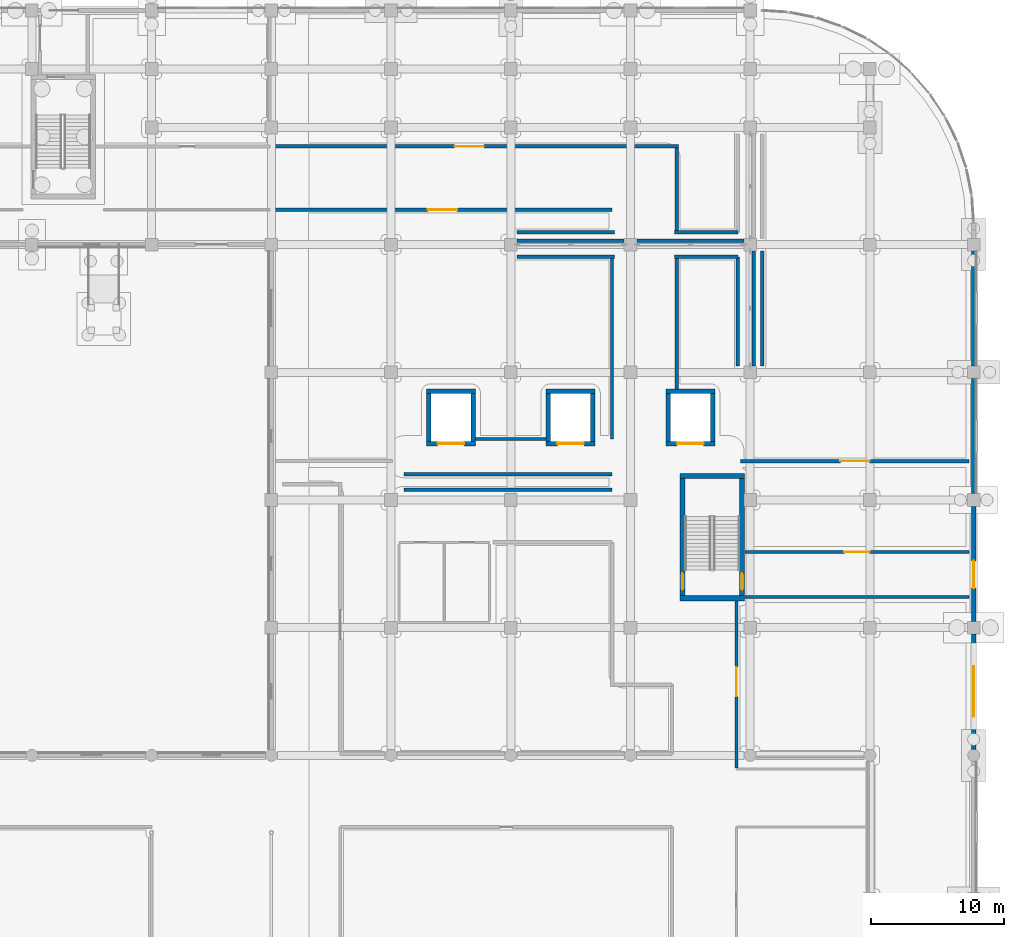
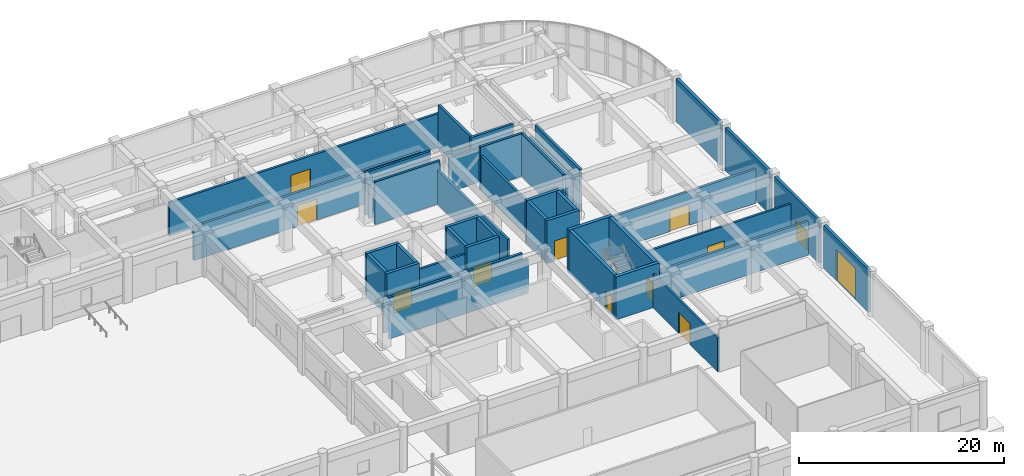
# One storey, part 39 of 74: 41 walls, 12 doors, 12 openings.
"""IFC4 building model written with IfcOpenShell, lengths in metres."""

from ifc_helpers import new_model, si_unit, direction, frame, frame_2d, origin, place, context, subcontext, project, spatial, rectangle, extrude, material, layer, layer_set, type_object, element, fill, save


model = new_model("IFC4")

# Units and contexts
model_context = context("Model", 3, precision=1e-05, world=origin(), true_north=direction((0.0, 1.0)))
body_context = subcontext(model_context, "Body", "Model", "MODEL_VIEW")
ifc_project = project(units=[si_unit("LENGTHUNIT", "METRE"), si_unit("AREAUNIT", "SQUARE_METRE"), si_unit("VOLUMEUNIT", "CUBIC_METRE"), si_unit("PLANEANGLEUNIT", "RADIAN"), si_unit("MASSUNIT", "GRAM", prefix="KILO")], contexts=[model_context])

# Site, building, storey
site_placement = place(None, origin())
site = spatial("IfcSite", under=ifc_project, at=site_placement, CompositionType="ELEMENT")
building_placement = place(site_placement, origin())
building = spatial("IfcBuilding", under=site, at=building_placement, Name="Cendralis Terraced Arcade", CompositionType="ELEMENT")
storey_placement = place(building_placement, origin())
storey = spatial("IfcBuildingStorey", under=building, at=storey_placement, Name="L00", CompositionType="ELEMENT", Elevation=0.0)

# Wall, opening, door
ifc_material_1 = material(Name="Concrete f'c 42 MPa", Category="concrete")
ifc_layer_1 = layer(ifc_material_1, 0.340087890625, Name="WL-CORE-340")
ifc_layer_set_1 = layer_set([ifc_layer_1], Name="Concrete f'c 42 MPa")
wall_type_1 = type_object("IfcWallType", Name="WL-CORE-340", PredefinedType="SHEAR", material=ifc_layer_set_1)
wall_1_placement = place(storey_placement, frame((132.860107421875, 83.429931640625, 0.0), z_axis=(0.0, 0.0, 1.0), x_axis=(1.0, 0.0, 0.0)))
wall_1 = element("IfcWall", 1, at=wall_1_placement, inside=storey, type_object=wall_type_1, Name="Lift GL-01 Reinforced Concrete Shaft Wall (L00)", PredefinedType="SHEAR", context=body_context, shape_type="SweptSolid", body=[
    extrude(rectangle(XDim=3.679931640625, YDim=0.340087890625, at=frame_2d((1.83984375, 0.0))), origin(), (0.0, 0.0, 1.0), 5.090087890625),
])
opening_1_placement = place(wall_1_placement, frame((0.840087890625, 0.0, 0.0)))
opening_1 = element("IfcOpeningElement", 2, at=opening_1_placement, cuts=wall_1, Name="Opening LD-GL-01-L00", PredefinedType="OPENING", context=body_context, shape_type="SweptSolid", body=[
    extrude(rectangle(XDim=2.0, YDim=2.39990234375, at=frame_2d((1.0, 1.199951171875))), frame((0.0, 0.18212890625, 0.0), z_axis=(0.0, -1.0, 0.0), x_axis=(1.0, 0.0, 0.0)), (0.0, 0.0, 1.0), 0.364013671875),
])
ifc_material_2 = material(Name="Anodised aluminium sliding door assembly", Category="aluminium")
door_type_1 = type_object("IfcDoorType", Name="ID-LD-GD-2000x2400", OperationType="DOUBLE_DOOR_SLIDING", PredefinedType="DOOR", material=ifc_material_2)
door_1_placement = place(opening_1_placement, origin())
door_1 = element("IfcDoor", 3, at=door_1_placement, inside=storey, type_object=door_type_1, Name="Lift GL-01 Sliding Landing Door (L00)", OperationType="DOUBLE_DOOR_SLIDING", OverallHeight=2.39990234375, OverallWidth=2.0, PredefinedType="DOOR", context=body_context, shape_type="SweptSolid", body=[
    extrude(rectangle(XDim=2.0, YDim=2.39990234375, at=frame_2d((1.0, 1.199951171875))), frame((0.0, 0.02490234375, 0.0), z_axis=(0.0, -1.0, 0.0), x_axis=(1.0, 0.0, 0.0)), (0.0, 0.0, 1.0), 0.050048828125),
])
fill(opening_1, door_1)

# Walls
wall_2_placement = place(storey_placement, frame((132.860107421875, 87.3701171875, 0.0), z_axis=(0.0, 0.0, 1.0), x_axis=(1.0, 0.0, 0.0)))
element("IfcWall", 4, at=wall_2_placement, inside=storey, type_object=wall_type_1, Name="Lift GL-01 Reinforced Concrete Shaft Wall (L00)", PredefinedType="SHEAR", context=body_context, shape_type="SweptSolid", body=[
    extrude(rectangle(XDim=3.679931640625, YDim=0.340087890625, at=frame_2d((1.83984375, 0.0))), origin(), (0.0, 0.0, 1.0), 5.090087890625),
])
for number, where, z_axis, x_axis, name in (
    (5, (133.030029296875, 83.60009765625, 0.0), (0.0, 0.0, 1.0), (0.0, 1.0, 0.0), "Lift GL-01 Reinforced Concrete Shaft Wall (L00)"),
    (6, (136.3701171875, 83.60009765625, 0.0), (0.0, 0.0, 1.0), (0.0, 1.0, 0.0), "Lift GL-01 Reinforced Concrete Shaft Wall (L00)"),
):
    element("IfcWall", number, at=place(storey_placement, frame(where, z_axis=z_axis, x_axis=x_axis)), inside=storey, type_object=wall_type_1, Name=name, PredefinedType="SHEAR", context=body_context, shape_type="SweptSolid", body=[
        extrude(rectangle(XDim=3.599853515625, YDim=0.340087890625, at=frame_2d((1.7998046875, 0.0))), origin(), (0.0, 0.0, 1.0), 5.090087890625),
    ])

# Wall, opening, door
wall_3_placement = place(storey_placement, frame((141.860107421875, 83.429931640625, 0.0), z_axis=(0.0, 0.0, 1.0), x_axis=(1.0, 0.0, 0.0)))
wall_3 = element("IfcWall", 7, at=wall_3_placement, inside=storey, type_object=wall_type_1, Name="Lift GL-02 Reinforced Concrete Shaft Wall (L00)", PredefinedType="SHEAR", context=body_context, shape_type="SweptSolid", body=[
    extrude(rectangle(XDim=3.679931640625, YDim=0.340087890625, at=frame_2d((1.83984375, 0.0))), origin(), (0.0, 0.0, 1.0), 5.090087890625),
])
opening_2_placement = place(wall_3_placement, frame((0.840087890625, 0.0, 0.0)))
opening_2 = element("IfcOpeningElement", 8, at=opening_2_placement, cuts=wall_3, Name="Opening LD-GL-02-L00", PredefinedType="OPENING", context=body_context, shape_type="SweptSolid", body=[
    extrude(rectangle(XDim=2.0, YDim=2.39990234375, at=frame_2d((1.0, 1.199951171875))), frame((0.0, 0.18212890625, 0.0), z_axis=(0.0, -1.0, 0.0), x_axis=(1.0, 0.0, 0.0)), (0.0, 0.0, 1.0), 0.364013671875),
])
door_2_placement = place(opening_2_placement, origin())
door_2 = element("IfcDoor", 9, at=door_2_placement, inside=storey, type_object=door_type_1, Name="Lift GL-02 Sliding Landing Door (L00)", OperationType="DOUBLE_DOOR_SLIDING", OverallHeight=2.39990234375, OverallWidth=2.0, PredefinedType="DOOR", context=body_context, shape_type="SweptSolid", body=[
    extrude(rectangle(XDim=2.0, YDim=2.39990234375, at=frame_2d((1.0, 1.199951171875))), frame((0.0, 0.02490234375, 0.0), z_axis=(0.0, -1.0, 0.0), x_axis=(1.0, 0.0, 0.0)), (0.0, 0.0, 1.0), 0.050048828125),
])
fill(opening_2, door_2)

# Walls
wall_4_placement = place(storey_placement, frame((141.860107421875, 87.3701171875, 0.0), z_axis=(0.0, 0.0, 1.0), x_axis=(1.0, 0.0, 0.0)))
element("IfcWall", 10, at=wall_4_placement, inside=storey, type_object=wall_type_1, Name="Lift GL-02 Reinforced Concrete Shaft Wall (L00)", PredefinedType="SHEAR", context=body_context, shape_type="SweptSolid", body=[
    extrude(rectangle(XDim=3.679931640625, YDim=0.340087890625, at=frame_2d((1.83984375, 0.0))), origin(), (0.0, 0.0, 1.0), 5.090087890625),
])
for number, where, z_axis, x_axis, name in (
    (11, (142.030029296875, 83.60009765625, 0.0), (0.0, 0.0, 1.0), (0.0, 1.0, 0.0), "Lift GL-02 Reinforced Concrete Shaft Wall (L00)"),
    (12, (145.3701171875, 83.60009765625, 0.0), (0.0, 0.0, 1.0), (0.0, 1.0, 0.0), "Lift GL-02 Reinforced Concrete Shaft Wall (L00)"),
):
    element("IfcWall", number, at=place(storey_placement, frame(where, z_axis=z_axis, x_axis=x_axis)), inside=storey, type_object=wall_type_1, Name=name, PredefinedType="SHEAR", context=body_context, shape_type="SweptSolid", body=[
        extrude(rectangle(XDim=3.599853515625, YDim=0.340087890625, at=frame_2d((1.7998046875, 0.0))), origin(), (0.0, 0.0, 1.0), 5.090087890625),
    ])

# Wall, opening, door
wall_5_placement = place(storey_placement, frame((150.860107421875, 83.429931640625, 0.0), z_axis=(0.0, 0.0, 1.0), x_axis=(1.0, 0.0, 0.0)))
wall_5 = element("IfcWall", 13, at=wall_5_placement, inside=storey, type_object=wall_type_1, Name="Lift GL-03 Reinforced Concrete Shaft Wall (L00)", PredefinedType="SHEAR", context=body_context, shape_type="SweptSolid", body=[
    extrude(rectangle(XDim=3.679931640625, YDim=0.340087890625, at=frame_2d((1.83984375, 0.0))), origin(), (0.0, 0.0, 1.0), 5.090087890625),
])
opening_3_placement = place(wall_5_placement, frame((0.840087890625, 0.0, 0.0)))
opening_3 = element("IfcOpeningElement", 14, at=opening_3_placement, cuts=wall_5, Name="Opening LD-GL-03-L00", PredefinedType="OPENING", context=body_context, shape_type="SweptSolid", body=[
    extrude(rectangle(XDim=2.0, YDim=2.39990234375, at=frame_2d((1.0, 1.199951171875))), frame((0.0, 0.18212890625, 0.0), z_axis=(0.0, -1.0, 0.0), x_axis=(1.0, 0.0, 0.0)), (0.0, 0.0, 1.0), 0.364013671875),
])
door_3_placement = place(opening_3_placement, origin())
door_3 = element("IfcDoor", 15, at=door_3_placement, inside=storey, type_object=door_type_1, Name="Lift GL-03 Sliding Landing Door (L00)", OperationType="DOUBLE_DOOR_SLIDING", OverallHeight=2.39990234375, OverallWidth=2.0, PredefinedType="DOOR", context=body_context, shape_type="SweptSolid", body=[
    extrude(rectangle(XDim=2.0, YDim=2.39990234375, at=frame_2d((1.0, 1.199951171875))), frame((0.0, 0.02490234375, 0.0), z_axis=(0.0, -1.0, 0.0), x_axis=(1.0, 0.0, 0.0)), (0.0, 0.0, 1.0), 0.050048828125),
])
fill(opening_3, door_3)

# Walls
wall_6_placement = place(storey_placement, frame((150.860107421875, 87.3701171875, 0.0), z_axis=(0.0, 0.0, 1.0), x_axis=(1.0, 0.0, 0.0)))
element("IfcWall", 16, at=wall_6_placement, inside=storey, type_object=wall_type_1, Name="Lift GL-03 Reinforced Concrete Shaft Wall (L00)", PredefinedType="SHEAR", context=body_context, shape_type="SweptSolid", body=[
    extrude(rectangle(XDim=3.679931640625, YDim=0.340087890625, at=frame_2d((1.83984375, 0.0))), origin(), (0.0, 0.0, 1.0), 5.090087890625),
])
for number, where, z_axis, x_axis, name in (
    (17, (151.030029296875, 83.60009765625, 0.0), (0.0, 0.0, 1.0), (0.0, 1.0, 0.0), "Lift GL-03 Reinforced Concrete Shaft Wall (L00)"),
    (18, (154.3701171875, 83.60009765625, 0.0), (0.0, 0.0, 1.0), (0.0, 1.0, 0.0), "Lift GL-03 Reinforced Concrete Shaft Wall (L00)"),
):
    element("IfcWall", number, at=place(storey_placement, frame(where, z_axis=z_axis, x_axis=x_axis)), inside=storey, type_object=wall_type_1, Name=name, PredefinedType="SHEAR", context=body_context, shape_type="SweptSolid", body=[
        extrude(rectangle(XDim=3.599853515625, YDim=0.340087890625, at=frame_2d((1.7998046875, 0.0))), origin(), (0.0, 0.0, 1.0), 5.090087890625),
    ])
ifc_layer_2 = layer(ifc_material_1, 0.3798828125, Name="WL-CORE-380")
ifc_layer_set_2 = layer_set([ifc_layer_2], Name="Concrete f'c 42 MPa")
wall_type_2 = type_object("IfcWallType", Name="WL-CORE-380", PredefinedType="SHEAR", material=ifc_layer_set_2)
for number, where, z_axis, x_axis, name in (
    (19, (151.919921875, 71.81005859375, 0.0), (0.0, 0.0, 1.0), (1.0, 0.0, 0.0), "Stair Core Reinforced Concrete Shear Wall SW-ST-06-L00-S"),
    (20, (151.919921875, 80.989990234375, 0.0), (0.0, 0.0, 1.0), (1.0, 0.0, 0.0), "Stair Core Reinforced Concrete Shear Wall SW-ST-06-L00-N"),
):
    element("IfcWall", number, at=place(storey_placement, frame(where, z_axis=z_axis, x_axis=x_axis)), inside=storey, type_object=wall_type_2, Name=name, PredefinedType="SHEAR", context=body_context, shape_type="SweptSolid", body=[
        extrude(rectangle(XDim=4.860107421875, YDim=0.3798828125, at=frame_2d((2.43017578125, 0.0))), origin(), (0.0, 0.0, 1.0), 5.090087890625),
    ])

# Wall, opening, door
wall_7_placement = place(storey_placement, frame((156.590087890625, 72.0, 0.0), z_axis=(0.0, 0.0, 1.0), x_axis=(0.0, 1.0, 0.0)))
wall_7 = element("IfcWall", 21, at=wall_7_placement, inside=storey, type_object=wall_type_2, Name="Stair Core Reinforced Concrete Shear Wall SW-ST-06-L00-E", PredefinedType="SHEAR", context=body_context, shape_type="SweptSolid", body=[
    extrude(rectangle(XDim=8.800048828125, YDim=0.3798828125, at=frame_2d((4.39990234375, 0.0))), origin(), (0.0, 0.0, 1.0), 5.090087890625),
])
opening_4_placement = place(wall_7_placement, frame((0.449951171875, 0.0, 0.0)))
opening_4 = element("IfcOpeningElement", 22, at=opening_4_placement, cuts=wall_7, Name="Opening D-ST-06-EXP", PredefinedType="OPENING", context=body_context, shape_type="SweptSolid", body=[
    extrude(rectangle(XDim=1.25, YDim=2.199951171875, at=frame_2d((0.625, 1.10009765625))), frame((0.0, 0.201904296875, 0.0), z_axis=(0.0, -1.0, 0.0), x_axis=(1.0, 0.0, 0.0)), (0.0, 0.0, 1.0), 0.40380859375),
])
ifc_material_3 = material(Name="Galvanised fire-rated steel door assembly", Category="steel")
door_type_2 = type_object("IfcDoorType", Name="ID-ST-1250x2200", OperationType="NOTDEFINED", PredefinedType="DOOR", material=ifc_material_3)
door_4_placement = place(opening_4_placement, origin())
door_4 = element("IfcDoor", 23, at=door_4_placement, inside=storey, type_object=door_type_2, Name="Stair ST-06 Exit Passage Discharge Door", OperationType="SINGLE_SWING_RIGHT", OverallHeight=2.199951171875, OverallWidth=1.25, PredefinedType="DOOR", context=body_context, shape_type="SweptSolid", body=[
    extrude(rectangle(XDim=1.25, YDim=2.199951171875, at=frame_2d((0.625, 1.10009765625))), frame((0.0, 0.02490234375, 0.0), z_axis=(0.0, -1.0, 0.0), x_axis=(1.0, 0.0, 0.0)), (0.0, 0.0, 1.0), 0.050048828125),
])
fill(opening_4, door_4)

wall_8_placement = place(storey_placement, frame((152.110107421875, 72.0, 0.0), z_axis=(0.0, 0.0, 1.0), x_axis=(0.0, 1.0, 0.0)))
wall_8 = element("IfcWall", 24, at=wall_8_placement, inside=storey, type_object=wall_type_2, Name="Stair Core Reinforced Concrete Shear Wall SW-ST-06-L00-W", PredefinedType="SHEAR", context=body_context, shape_type="SweptSolid", body=[
    extrude(rectangle(XDim=8.800048828125, YDim=0.3798828125, at=frame_2d((4.39990234375, 0.0))), origin(), (0.0, 0.0, 1.0), 5.090087890625),
])
opening_5_placement = place(wall_8_placement, frame((0.449951171875, 0.0, 0.0)))
opening_5 = element("IfcOpeningElement", 25, at=opening_5_placement, cuts=wall_8, Name="Opening D-ST-06-L00", PredefinedType="OPENING", context=body_context, shape_type="SweptSolid", body=[
    extrude(rectangle(XDim=1.25, YDim=2.199951171875, at=frame_2d((0.625, 1.10009765625))), frame((0.0, 0.201904296875, 0.0), z_axis=(0.0, -1.0, 0.0), x_axis=(1.0, 0.0, 0.0)), (0.0, 0.0, 1.0), 0.40380859375),
])
door_5_placement = place(opening_5_placement, frame((1.25, 0.0, 0.0), z_axis=(0.0, 0.0, 1.0), x_axis=(-1.0, 0.0, 0.0)))
door_5 = element("IfcDoor", 26, at=door_5_placement, inside=storey, type_object=door_type_2, Name="Protected Stair ST-06 Fire Door (L00)", OperationType="SINGLE_SWING_LEFT", OverallHeight=2.199951171875, OverallWidth=1.25, PredefinedType="DOOR", context=body_context, shape_type="SweptSolid", body=[
    extrude(rectangle(XDim=1.25, YDim=2.199951171875, at=frame_2d((0.625, 1.10009765625))), frame((0.0, 0.02490234375, 0.0), z_axis=(0.0, -1.0, 0.0), x_axis=(1.0, 0.0, 0.0)), (0.0, 0.0, 1.0), 0.050048828125),
])
fill(opening_5, door_5)

# Walls
ifc_material_4 = material(Name="Precast concrete f'c 40 MPa", Category="concrete")
ifc_layer_3 = layer(ifc_material_4, 0.320068359375, Name="WL-EXT-GRC-320")
ifc_layer_set_3 = layer_set([ifc_layer_3], Name="Precast concrete f'c 40 MPa")
wall_type_3 = type_object("IfcWallType", Name="WL-EXT-GRC-320", PredefinedType="SOLIDWALL", material=ifc_layer_set_3)
wall_9_placement = place(storey_placement, frame((174.0, 97.927001953125, 0.0), z_axis=(0.0, 0.0, 1.0), x_axis=(0.0, -1.0, 0.0)))
element("IfcWall", 27, at=wall_9_placement, inside=storey, type_object=wall_type_3, Name="Exterior Architectural Wall EW-L00-0049", PredefinedType="SOLIDWALL", context=body_context, shape_type="SweptSolid", body=[
    extrude(rectangle(XDim=8.654052734375, YDim=0.320068359375, at=frame_2d((4.3271484375, 0.0))), origin(), (0.0, 0.0, 1.0), 5.090087890625),
])
wall_10_placement = place(storey_placement, frame((174.0, 88.326904296875, 0.0), z_axis=(0.0, 0.0, 1.0), x_axis=(0.0, -1.0, 0.0)))
element("IfcWall", 28, at=wall_10_placement, inside=storey, type_object=wall_type_3, Name="Exterior Architectural Wall EW-L00-0050", PredefinedType="SOLIDWALL", context=body_context, shape_type="SweptSolid", body=[
    extrude(rectangle(XDim=8.65380859375, YDim=0.320068359375, at=frame_2d((4.326904296875, 0.0))), origin(), (0.0, 0.0, 1.0), 5.090087890625),
])

# Wall, opening, door
wall_11_placement = place(storey_placement, frame((174.0, 78.72509765625, 0.0), z_axis=(0.0, 0.0, 1.0), x_axis=(0.0, -1.0, 0.0)))
wall_11 = element("IfcWall", 29, at=wall_11_placement, inside=storey, type_object=wall_type_3, Name="Exterior Architectural Wall EW-L00-0051", PredefinedType="SOLIDWALL", context=body_context, shape_type="SweptSolid", body=[
    extrude(rectangle(XDim=8.650146484375, YDim=0.320068359375, at=frame_2d((4.3251953125, 0.0))), origin(), (0.0, 0.0, 1.0), 5.090087890625),
])
opening_6_placement = place(wall_11_placement, frame((4.10009765625, 0.0, 0.0)))
opening_6 = element("IfcOpeningElement", 30, at=opening_6_placement, cuts=wall_11, Name="Opening EX-06", PredefinedType="OPENING", context=body_context, shape_type="SweptSolid", body=[
    extrude(rectangle(XDim=2.050048828125, YDim=2.25, at=frame_2d((1.02490234375, 1.125))), frame((0.0, 0.171875, 0.0), z_axis=(0.0, -1.0, 0.0), x_axis=(1.0, 0.0, 0.0)), (0.0, 0.0, 1.0), 0.343994140625),
])
ifc_material_5 = material(Name="Powder-coated thermally broken aluminium and glass", Category="aluminium")
door_type_3 = type_object("IfcDoorType", Name="ED-PASS-2050x2250", OperationType="DOUBLE_DOOR_SINGLE_SWING", PredefinedType="DOOR", material=ifc_material_5)
door_6_placement = place(opening_6_placement, origin())
door_6 = element("IfcDoor", 31, at=door_6_placement, inside=storey, type_object=door_type_3, Name="Exit Passage ST-06 Final Exit Door EX-06", OperationType="DOUBLE_DOOR_SINGLE_SWING", OverallHeight=2.25, OverallWidth=2.050048828125, PredefinedType="DOOR", context=body_context, shape_type="SweptSolid", body=[
    extrude(rectangle(XDim=2.050048828125, YDim=2.25, at=frame_2d((1.02490234375, 1.125))), frame((0.0, 0.02490234375, 0.0), z_axis=(0.0, -1.0, 0.0), x_axis=(1.0, 0.0, 0.0)), (0.0, 0.0, 1.0), 0.050048828125),
])
fill(opening_6, door_6)

wall_12_placement = place(storey_placement, frame((174.0, 69.125, 0.0), z_axis=(0.0, 0.0, 1.0), x_axis=(0.0, -1.0, 0.0)))
wall_12 = element("IfcWall", 32, at=wall_12_placement, inside=storey, type_object=wall_type_3, Name="Exterior Architectural Wall EW-L00-0052", PredefinedType="SOLIDWALL", context=body_context, shape_type="SweptSolid", body=[
    extrude(rectangle(XDim=8.675048828125, YDim=0.320068359375, at=frame_2d((4.33740234375, 0.0))), origin(), (0.0, 0.0, 1.0), 5.090087890625),
])
opening_7_placement = place(wall_12_placement, frame((2.425048828125, 0.0, 0.0)))
opening_7 = element("IfcOpeningElement", 33, at=opening_7_placement, cuts=wall_12, Name="Opening GD-02", PredefinedType="OPENING", context=body_context, shape_type="SweptSolid", body=[
    extrude(rectangle(XDim=3.800048828125, YDim=3.699951171875, at=frame_2d((1.89990234375, 1.85009765625))), frame((0.0, 0.171875, 0.0), z_axis=(0.0, -1.0, 0.0), x_axis=(1.0, 0.0, 0.0)), (0.0, 0.0, 1.0), 0.343994140625),
])
ifc_material_6 = material(Name="Galvanised insulated steel roller shutter", Category="steel")
door_type_4 = type_object("IfcDoorType", Name="ED-DOCK-3800x4000", OperationType="ROLLINGUP", PredefinedType="DOOR", material=ifc_material_6)
door_7_placement = place(opening_7_placement, origin())
door_7 = element("IfcDoor", 34, at=door_7_placement, inside=storey, type_object=door_type_4, Name="Loading Dock Roller Shutter Door GD-02", OperationType="ROLLINGUP", OverallHeight=3.699951171875, OverallWidth=3.800048828125, PredefinedType="DOOR", context=body_context, shape_type="SweptSolid", body=[
    extrude(rectangle(XDim=3.800048828125, YDim=3.699951171875, at=frame_2d((1.89990234375, 1.85009765625))), frame((0.0, 0.02490234375, 0.0), z_axis=(0.0, -1.0, 0.0), x_axis=(1.0, 0.0, 0.0)), (0.0, 0.0, 1.0), 0.050048828125),
])
fill(opening_7, door_7)

ifc_material_7 = material(Name="Autoclaved aerated concrete blockwork", Category="masonry")
ifc_layer_4 = layer(ifc_material_7, 0.215087890625, Name="WL-FIRE-215")
ifc_layer_set_4 = layer_set([ifc_layer_4], Name="Autoclaved aerated concrete blockwork")
wall_type_4 = type_object("IfcWallType", Name="WL-FIRE-215", PredefinedType="PARTITIONING", material=ifc_layer_set_4)
wall_13_placement = place(storey_placement, frame((156.179931640625, 59.04296875, 0.0), z_axis=(0.0, 0.0, 1.0), x_axis=(0.0, 1.0, 0.0)))
wall_13 = element("IfcWall", 35, at=wall_13_placement, inside=storey, type_object=wall_type_4, Name="Interior Partition Wall IW-L00-0316", PredefinedType="PARTITIONING", context=body_context, shape_type="SweptSolid", body=[
    extrude(rectangle(XDim=12.5771484375, YDim=0.215087890625, at=frame_2d((6.28857421875, 0.0))), origin(), (0.0, 0.0, 1.0), 4.030029296875),
])
opening_8_placement = place(wall_13_placement, frame((5.39697265625, 0.0, 0.0)))
opening_8 = element("IfcOpeningElement", 36, at=opening_8_placement, cuts=wall_13, Name="Opening D-L00-091", PredefinedType="OPENING", context=body_context, shape_type="SweptSolid", body=[
    extrude(rectangle(XDim=2.199951171875, YDim=2.5, at=frame_2d((1.10009765625, 1.25))), frame((0.0, 0.11962890625, 0.0), z_axis=(0.0, -1.0, 0.0), x_axis=(1.0, 0.0, 0.0)), (0.0, 0.0, 1.0), 0.239013671875),
])
door_type_5 = type_object("IfcDoorType", Name="ID-STK-2200x2500", OperationType="DOUBLE_DOOR_SINGLE_SWING", PredefinedType="DOOR", material=ifc_material_3)
door_8_placement = place(opening_8_placement, origin())
door_8 = element("IfcDoor", 37, at=door_8_placement, inside=storey, type_object=door_type_5, Name="Central Stockrooms and Automated Picking - Dock Staging Door D-L00-091", OperationType="DOUBLE_DOOR_SINGLE_SWING", OverallHeight=2.5, OverallWidth=2.199951171875, PredefinedType="DOOR", context=body_context, shape_type="SweptSolid", body=[
    extrude(rectangle(XDim=2.199951171875, YDim=2.5, at=frame_2d((1.10009765625, 1.25))), frame((0.0, 0.02490234375, 0.0), z_axis=(0.0, -1.0, 0.0), x_axis=(1.0, 0.0, 0.0)), (0.0, 0.0, 1.0), 0.050048828125),
])
fill(opening_8, door_8)

# Wall
ifc_layer_5 = layer(ifc_material_7, 0.235107421875, Name="WL-FIRE-235")
ifc_layer_set_5 = layer_set([ifc_layer_5], Name="Autoclaved aerated concrete blockwork")
wall_type_5 = type_object("IfcWallType", Name="WL-FIRE-235", PredefinedType="PARTITIONING", material=ifc_layer_set_5)
wall_14_placement = place(storey_placement, frame((156.800048828125, 71.89990234375, 0.0), z_axis=(0.0, 0.0, 1.0), x_axis=(1.0, 0.0, 0.0)))
element("IfcWall", 38, at=wall_14_placement, inside=storey, type_object=wall_type_5, Name="Protected Exit Passage 2-Hour Wall EP-ST06-S", PredefinedType="PARTITIONING", context=body_context, shape_type="SweptSolid", body=[
    extrude(rectangle(XDim=16.849853515625, YDim=0.235107421875, at=frame_2d((8.4248046875, 0.0))), origin(), (0.0, 0.0, 1.0), 4.030029296875),
])

# Wall, opening, door
wall_15_placement = place(storey_placement, frame((156.800048828125, 75.300048828125, 0.0), z_axis=(0.0, 0.0, 1.0), x_axis=(1.0, 0.0, 0.0)))
wall_15 = element("IfcWall", 39, at=wall_15_placement, inside=storey, type_object=wall_type_5, Name="Protected Exit Passage 2-Hour Wall EP-ST06-N", PredefinedType="PARTITIONING", context=body_context, shape_type="SweptSolid", body=[
    extrude(rectangle(XDim=16.849853515625, YDim=0.235107421875, at=frame_2d((8.4248046875, 0.0))), origin(), (0.0, 0.0, 1.0), 4.030029296875),
])
opening_9_placement = place(wall_15_placement, frame((7.47509765625, 0.0, 0.0)))
opening_9 = element("IfcOpeningElement", 40, at=opening_9_placement, cuts=wall_15, Name="Opening D-EP-ST06-N", PredefinedType="OPENING", context=body_context, shape_type="SweptSolid", body=[
    extrude(rectangle(XDim=1.89990234375, YDim=2.25, at=frame_2d((0.949951171875, 1.125))), frame((0.0, 0.12939453125, 0.0), z_axis=(0.0, -1.0, 0.0), x_axis=(1.0, 0.0, 0.0)), (0.0, 0.0, 1.0), 0.259033203125),
])
door_type_6 = type_object("IfcDoorType", Name="ID-EXP-1900x2250", OperationType="DOUBLE_DOOR_SINGLE_SWING", PredefinedType="DOOR", material=ifc_material_3)
door_9_placement = place(opening_9_placement, origin())
door_9 = element("IfcDoor", 41, at=door_9_placement, inside=storey, type_object=door_type_6, Name="Protected Exit Passage Fire Door EP-ST06-N", OperationType="DOUBLE_DOOR_SINGLE_SWING", OverallHeight=2.25, OverallWidth=1.89990234375, PredefinedType="DOOR", context=body_context, shape_type="SweptSolid", body=[
    extrude(rectangle(XDim=1.89990234375, YDim=2.25, at=frame_2d((0.949951171875, 1.125))), frame((0.0, 0.02490234375, 0.0), z_axis=(0.0, -1.0, 0.0), x_axis=(1.0, 0.0, 0.0)), (0.0, 0.0, 1.0), 0.050048828125),
])
fill(opening_9, door_9)

ifc_layer_6 = layer(ifc_material_7, 0.241943359375, Name="WL-FIRE-242")
ifc_layer_set_6 = layer_set([ifc_layer_6], Name="Autoclaved aerated concrete blockwork")
wall_type_6 = type_object("IfcWallType", Name="WL-FIRE-242", PredefinedType="PARTITIONING", material=ifc_layer_set_6)
wall_16_placement = place(storey_placement, frame((121.320068359375, 101.02001953125, 0.0), z_axis=(0.0, 0.0, 1.0), x_axis=(1.0, 0.0, 0.0)))
wall_16 = element("IfcWall", 42, at=wall_16_placement, inside=storey, type_object=wall_type_6, Name="Interior Partition Wall IW-L00-0310", PredefinedType="PARTITIONING", context=body_context, shape_type="SweptSolid", body=[
    extrude(rectangle(XDim=25.5, YDim=0.241943359375, at=frame_2d((12.75, 0.0))), origin(), (0.0, 0.0, 1.0), 4.030029296875),
])
opening_10_placement = place(wall_16_placement, frame((11.64990234375, 0.0, 0.0)))
opening_10 = element("IfcOpeningElement", 43, at=opening_10_placement, cuts=wall_16, Name="Opening D-L00-090", PredefinedType="OPENING", context=body_context, shape_type="SweptSolid", body=[
    extrude(rectangle(XDim=2.199951171875, YDim=2.5, at=frame_2d((1.10009765625, 1.25))), frame((0.0, 0.1328125, 0.0), z_axis=(0.0, -1.0, 0.0), x_axis=(1.0, 0.0, 0.0)), (0.0, 0.0, 1.0), 0.265869140625),
])
door_10_placement = place(opening_10_placement, origin())
door_10 = element("IfcDoor", 44, at=door_10_placement, inside=storey, type_object=door_type_5, Name="Goods Receiving and Loading Dock Door D-L00-090", OperationType="DOUBLE_DOOR_SINGLE_SWING", OverallHeight=2.5, OverallWidth=2.199951171875, PredefinedType="DOOR", context=body_context, shape_type="SweptSolid", body=[
    extrude(rectangle(XDim=2.199951171875, YDim=2.5, at=frame_2d((1.10009765625, 1.25))), frame((0.0, 0.02490234375, 0.0), z_axis=(0.0, -1.0, 0.0), x_axis=(1.0, 0.0, 0.0)), (0.0, 0.0, 1.0), 0.050048828125),
])
fill(opening_10, door_10)

# Walls
wall_17_placement = place(storey_placement, frame((146.820068359375, 97.35888671875, 0.0), z_axis=(0.0, 0.0, 1.0), x_axis=(0.0, -1.0, 0.0)))
element("IfcWall", 45, at=wall_17_placement, inside=storey, type_object=wall_type_6, Name="Interior Partition Wall IW-L00-0311", PredefinedType="PARTITIONING", context=body_context, shape_type="SweptSolid", body=[
    extrude(rectangle(XDim=13.578857421875, YDim=0.241943359375, at=frame_2d((6.78955078125, 0.0))), origin(), (0.0, 0.0, 1.0), 4.030029296875),
])
for number, where, z_axis, x_axis, name in (
    (46, (139.675048828125, 97.47998046875, 0.0), (0.0, 0.0, 1.0), (1.0, 0.0, 0.0), "Interior Partition Wall IW-L00-0313"),
    (47, (146.98095703125, 99.320068359375, 0.0), (0.0, 0.0, 1.0), (-1.0, 0.0, 0.0), "Interior Partition Wall IW-L00-0314"),
):
    element("IfcWall", number, at=place(storey_placement, frame(where, z_axis=z_axis, x_axis=x_axis)), inside=storey, type_object=wall_type_6, Name=name, PredefinedType="PARTITIONING", context=body_context, shape_type="SweptSolid", body=[
        extrude(rectangle(XDim=7.305908203125, YDim=0.241943359375, at=frame_2d((3.65283203125, 0.0))), origin(), (0.0, 0.0, 1.0), 5.090087890625),
    ])
wall_18_placement = place(storey_placement, frame((141.860107421875, 83.780029296875, 0.0), z_axis=(0.0, 0.0, 1.0), x_axis=(-1.0, 0.0, 0.0)))
element("IfcWall", 48, at=wall_18_placement, inside=storey, type_object=wall_type_6, Name="Interior Partition Wall IW-L00-0315", PredefinedType="PARTITIONING", context=body_context, shape_type="SweptSolid", body=[
    extrude(rectangle(XDim=5.320068359375, YDim=0.241943359375, at=frame_2d((2.66015625, 0.0))), origin(), (0.0, 0.0, 1.0), 4.030029296875),
])
ifc_layer_7 = layer(ifc_material_7, 0.260009765625, Name="WL-FIRE-260")
ifc_layer_set_7 = layer_set([ifc_layer_7], Name="Autoclaved aerated concrete blockwork")
wall_type_7 = type_object("IfcWallType", Name="WL-FIRE-260", PredefinedType="PARTITIONING", material=ifc_layer_set_7)
for number, where, z_axis, x_axis, name in (
    (49, (139.679931640625, 98.679931640625, 0.0), (0.0, 0.0, 1.0), (1.0, 0.0, 0.0), "Braced Bay Fire Enclosure Wall IW-BRC-L00-01"),
    (50, (148.679931640625, 98.679931640625, 0.0), (0.0, 0.0, 1.0), (1.0, 0.0, 0.0), "Braced Bay Fire Enclosure Wall IW-BRC-L00-02"),
):
    element("IfcWall", number, at=place(storey_placement, frame(where, z_axis=z_axis, x_axis=x_axis)), inside=storey, type_object=wall_type_7, Name=name, PredefinedType="PARTITIONING", context=body_context, shape_type="SweptSolid", body=[
        extrude(rectangle(XDim=8.0400390625, YDim=0.260009765625, at=frame_2d((4.02001953125, 0.0))), origin(), (0.0, 0.0, 1.0), 4.030029296875),
    ])
wall_19_placement = place(storey_placement, frame((157.47998046875, 89.280029296875, 0.0), z_axis=(0.0, 0.0, 1.0), x_axis=(0.0, 1.0, 0.0)))
element("IfcWall", 51, at=wall_19_placement, inside=storey, type_object=wall_type_7, Name="Braced Bay Fire Enclosure Wall IW-BRC-L00-03", PredefinedType="PARTITIONING", context=body_context, shape_type="SweptSolid", body=[
    extrude(rectangle(XDim=8.639892578125, YDim=0.260009765625, at=frame_2d((4.31982421875, 0.0))), origin(), (0.0, 0.0, 1.0), 4.030029296875),
])

# Wall, opening, door
wall_20_placement = place(storey_placement, frame((151.81005859375, 105.780029296875, 0.0), z_axis=(0.0, 0.0, 1.0), x_axis=(-1.0, 0.0, 0.0)))
wall_20 = element("IfcWall", 52, at=wall_20_placement, inside=storey, type_object=wall_type_7, Name="Interior Partition Wall IW-L00-0300", PredefinedType="PARTITIONING", context=body_context, shape_type="SweptSolid", body=[
    extrude(rectangle(XDim=30.489990234375, YDim=0.260009765625, at=frame_2d((15.2451171875, 0.0))), origin(), (0.0, 0.0, 1.0), 4.030029296875),
])
opening_11_placement = place(wall_20_placement, frame((14.639892578125, 0.0, 0.0)))
opening_11 = element("IfcOpeningElement", 53, at=opening_11_placement, cuts=wall_20, Name="Opening D-L00-088", PredefinedType="OPENING", context=body_context, shape_type="SweptSolid", body=[
    extrude(rectangle(XDim=2.199951171875, YDim=2.5, at=frame_2d((1.10009765625, 1.25))), frame((0.0, 0.14208984375, 0.0), z_axis=(0.0, -1.0, 0.0), x_axis=(1.0, 0.0, 0.0)), (0.0, 0.0, 1.0), 0.283935546875),
])
door_11_placement = place(opening_11_placement, origin())
door_11 = element("IfcDoor", 54, at=door_11_placement, inside=storey, type_object=door_type_5, Name="Goods Receiving and Loading Dock Door D-L00-088", OperationType="DOUBLE_DOOR_SINGLE_SWING", OverallHeight=2.5, OverallWidth=2.199951171875, PredefinedType="DOOR", context=body_context, shape_type="SweptSolid", body=[
    extrude(rectangle(XDim=2.199951171875, YDim=2.5, at=frame_2d((1.10009765625, 1.25))), frame((0.0, 0.02490234375, 0.0), z_axis=(0.0, -1.0, 0.0), x_axis=(1.0, 0.0, 0.0)), (0.0, 0.0, 1.0), 0.050048828125),
])
fill(opening_11, door_11)

wall_21_placement = place(storey_placement, frame((173.659912109375, 82.1201171875, 0.0), z_axis=(0.0, 0.0, 1.0), x_axis=(-1.0, 0.0, 0.0)))
wall_21 = element("IfcWall", 55, at=wall_21_placement, inside=storey, type_object=wall_type_7, Name="Interior Partition Wall IW-L00-0301", PredefinedType="PARTITIONING", context=body_context, shape_type="SweptSolid", body=[
    extrude(rectangle(XDim=17.179931640625, YDim=0.260009765625, at=frame_2d((8.58984375, 0.0))), origin(), (0.0, 0.0, 1.0), 4.030029296875),
])
opening_12_placement = place(wall_21_placement, frame((7.489990234375, 0.0, 0.0)))
opening_12 = element("IfcOpeningElement", 56, at=opening_12_placement, cuts=wall_21, Name="Opening D-L00-089", PredefinedType="OPENING", context=body_context, shape_type="SweptSolid", body=[
    extrude(rectangle(XDim=2.199951171875, YDim=2.5, at=frame_2d((1.10009765625, 1.25))), frame((0.0, 0.14208984375, 0.0), z_axis=(0.0, -1.0, 0.0), x_axis=(1.0, 0.0, 0.0)), (0.0, 0.0, 1.0), 0.283935546875),
])
door_12_placement = place(opening_12_placement, origin())
door_12 = element("IfcDoor", 57, at=door_12_placement, inside=storey, type_object=door_type_5, Name="Goods Receiving and Loading Dock Door D-L00-089", OperationType="DOUBLE_DOOR_SINGLE_SWING", OverallHeight=2.5, OverallWidth=2.199951171875, PredefinedType="DOOR", context=body_context, shape_type="SweptSolid", body=[
    extrude(rectangle(XDim=2.199951171875, YDim=2.5, at=frame_2d((1.10009765625, 1.25))), frame((0.0, 0.02490234375, 0.0), z_axis=(0.0, -1.0, 0.0), x_axis=(1.0, 0.0, 0.0)), (0.0, 0.0, 1.0), 0.050048828125),
])
fill(opening_12, door_12)

# Walls
wall_22_placement = place(storey_placement, frame((151.679931640625, 87.5400390625, 0.0), z_axis=(0.0, 0.0, 1.0), x_axis=(0.0, 1.0, 0.0)))
element("IfcWall", 58, at=wall_22_placement, inside=storey, type_object=wall_type_7, Name="Interior Partition Wall IW-L00-0302", PredefinedType="PARTITIONING", context=body_context, shape_type="SweptSolid", body=[
    extrude(rectangle(XDim=9.81005859375, YDim=0.260009765625, at=frame_2d((4.905029296875, 0.0))), origin(), (0.0, 0.0, 1.0), 4.030029296875),
])
wall_23_placement = place(storey_placement, frame((151.679931640625, 99.449951171875, 0.0), z_axis=(0.0, 0.0, 1.0), x_axis=(0.0, 1.0, 0.0)))
element("IfcWall", 59, at=wall_23_placement, inside=storey, type_object=wall_type_7, Name="Interior Partition Wall IW-L00-0303", PredefinedType="PARTITIONING", context=body_context, shape_type="SweptSolid", body=[
    extrude(rectangle(XDim=6.199951171875, YDim=0.260009765625, at=frame_2d((3.10009765625, 0.0))), origin(), (0.0, 0.0, 1.0), 5.090087890625),
])
for number, where, z_axis, x_axis, name in (
    (60, (151.51904296875, 97.47998046875, 0.0), (0.0, 0.0, 1.0), (1.0, 0.0, 0.0), "Interior Partition Wall IW-L00-0304"),
    (61, (156.280029296875, 99.320068359375, 0.0), (0.0, 0.0, 1.0), (-1.0, 0.0, 0.0), "Interior Partition Wall IW-L00-0305"),
):
    element("IfcWall", number, at=place(storey_placement, frame(where, z_axis=z_axis, x_axis=x_axis)), inside=storey, type_object=wall_type_7, Name=name, PredefinedType="PARTITIONING", context=body_context, shape_type="SweptSolid", body=[
        extrude(rectangle(XDim=4.760986328125, YDim=0.260009765625, at=frame_2d((2.38037109375, 0.0))), origin(), (0.0, 0.0, 1.0), 5.090087890625),
    ])
wall_24_placement = place(storey_placement, frame((158.1201171875, 89.27490234375, 0.0), z_axis=(0.0, 0.0, 1.0), x_axis=(0.0, 1.0, 0.0)))
element("IfcWall", 62, at=wall_24_placement, inside=storey, type_object=wall_type_7, Name="Interior Partition Wall IW-L00-0306", PredefinedType="PARTITIONING", context=body_context, shape_type="SweptSolid", body=[
    extrude(rectangle(XDim=8.650146484375, YDim=0.260009765625, at=frame_2d((4.3251953125, 0.0))), origin(), (0.0, 0.0, 1.0), 5.090087890625),
])
wall_25_placement = place(storey_placement, frame((156.280029296875, 97.47998046875, 0.0), z_axis=(0.0, 0.0, 1.0), x_axis=(0.0, -1.0, 0.0)))
element("IfcWall", 63, at=wall_25_placement, inside=storey, type_object=wall_type_7, Name="Interior Partition Wall IW-L00-0307", PredefinedType="PARTITIONING", context=body_context, shape_type="SweptSolid", body=[
    extrude(rectangle(XDim=8.205078125, YDim=0.260009765625, at=frame_2d((4.1025390625, 0.0))), origin(), (0.0, 0.0, 1.0), 5.090087890625),
])
for number, where, z_axis, x_axis, name in (
    (64, (131.179931640625, 81.1201171875, 0.0), (0.0, 0.0, 1.0), (1.0, 0.0, 0.0), "Interior Partition Wall IW-L00-0318"),
    (65, (146.820068359375, 79.97998046875, 0.0), (0.0, 0.0, 1.0), (-1.0, 0.0, 0.0), "Interior Partition Wall IW-L00-0319"),
):
    element("IfcWall", number, at=place(storey_placement, frame(where, z_axis=z_axis, x_axis=x_axis)), inside=storey, type_object=wall_type_7, Name=name, PredefinedType="PARTITIONING", context=body_context, shape_type="SweptSolid", body=[
        extrude(rectangle(XDim=15.64013671875, YDim=0.260009765625, at=frame_2d((7.820068359375, 0.0))), origin(), (0.0, 0.0, 1.0), 4.030029296875),
    ])

save(model, "model.ifc")
